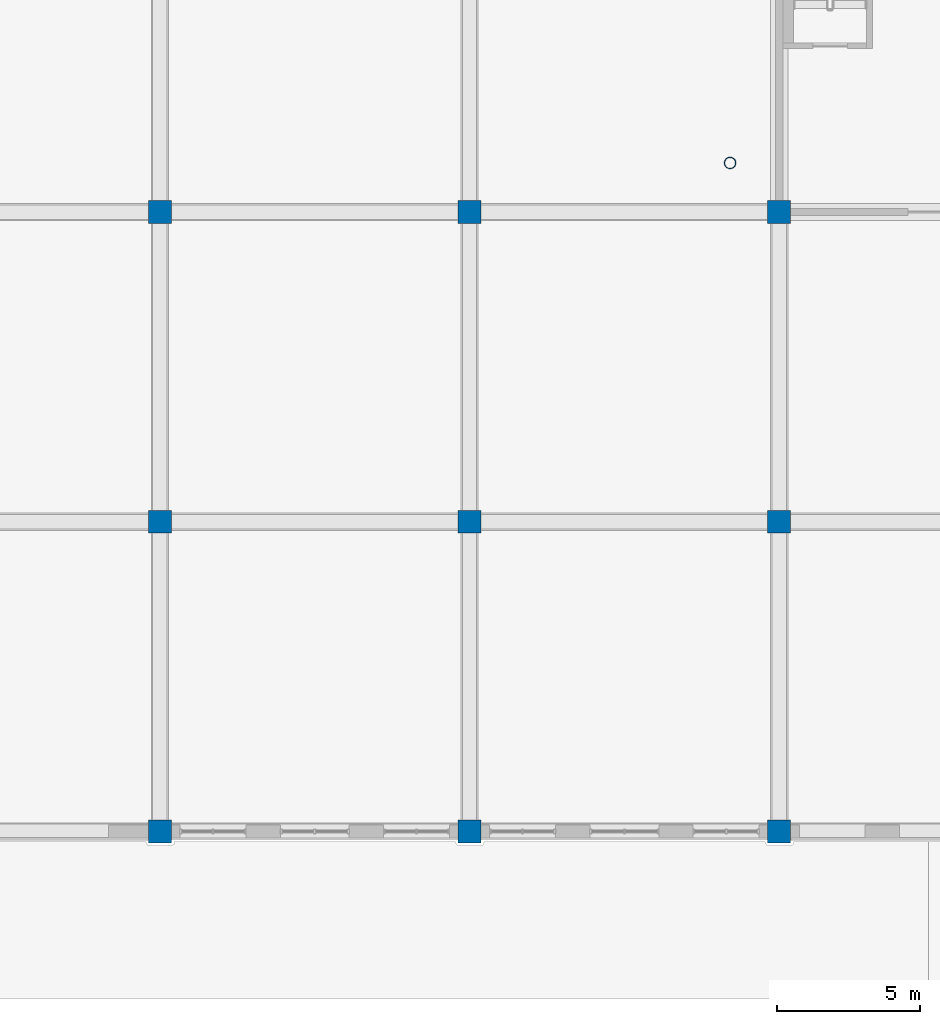
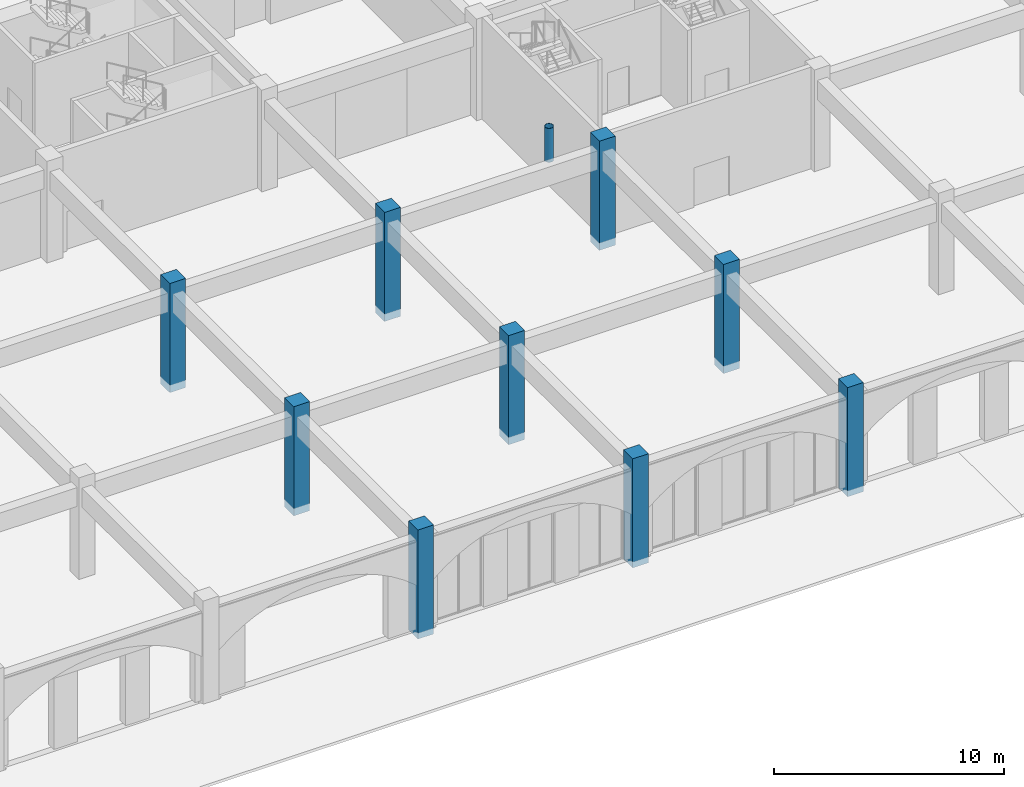
# One storey, part 4 of 101: 10 columns.
"""IFC4 building model written with IfcOpenShell, lengths in metres."""

from ifc_helpers import new_model, si_unit, direction, frame, origin, origin_2d, place, context, subcontext, project, spatial, rectangle, hollow_circle, extrude, material, material_profile, profile_set, type_object, element, save


model = new_model("IFC4")

# Units and contexts
model_context = context("Model", 3, precision=1e-05, world=origin(), true_north=direction((0.0, 1.0)))
body_context = subcontext(model_context, "Body", "Model", "MODEL_VIEW")
ifc_project = project(units=[si_unit("LENGTHUNIT", "METRE"), si_unit("AREAUNIT", "SQUARE_METRE"), si_unit("VOLUMEUNIT", "CUBIC_METRE"), si_unit("PLANEANGLEUNIT", "RADIAN"), si_unit("MASSUNIT", "GRAM", prefix="KILO")], contexts=[model_context])

# Site, building, storey
site_placement = place(None, origin())
site = spatial("IfcSite", under=ifc_project, at=site_placement, CompositionType="ELEMENT")
building_placement = place(site_placement, origin())
building = spatial("IfcBuilding", under=site, at=building_placement, Name="Magnolia Steps Interchange", CompositionType="ELEMENT")
storey_placement = place(building_placement, frame((0.0, 0.0, -5.39990234375)))
storey = spatial("IfcBuildingStorey", under=building, at=storey_placement, Name="B1", CompositionType="ELEMENT", Elevation=-5.39990234375)

# Columns
ifc_material_1 = material(Name="Concrete C40", Category="concrete")
ifc_material_profile_1 = material_profile(ifc_material_1, rectangle(XDim=0.800048828125, YDim=0.800048828125, at=origin_2d()), Name="RC800x800")
ifc_profile_set_1 = profile_set([ifc_material_profile_1], Name="Concrete C40")
column_type_1 = type_object("IfcColumnType", Name="RC column 800x800", PredefinedType="COLUMN", material=ifc_profile_set_1)
for number, where, z_axis, x_axis, name in (
    (1, (107.199951171875, 10.0, -0.400146484375), (0.0, 0.0, 1.0), (1.0, 0.0, 0.0), "Column COV-10A B1"),
    (2, (107.199951171875, 20.800048828125, -0.400146484375), (0.0, 0.0, 1.0), (1.0, 0.0, 0.0), "Column COV-10B B1"),
    (3, (107.199951171875, 31.60009765625, -0.400146484375), (0.0, 0.0, 1.0), (1.0, 0.0, 0.0), "Column COV-10C B1"),
    (4, (118.0, 10.0, -0.400146484375), (0.0, 0.0, 1.0), (1.0, 0.0, 0.0), "Column COV-11A B1"),
    (5, (118.0, 20.800048828125, -0.400146484375), (0.0, 0.0, 1.0), (1.0, 0.0, 0.0), "Column COV-11B B1"),
    (6, (118.0, 31.60009765625, -0.400146484375), (0.0, 0.0, 1.0), (1.0, 0.0, 0.0), "Column COV-11C B1"),
    (7, (128.800048828125, 10.0, -0.400146484375), (0.0, 0.0, 1.0), (1.0, 0.0, 0.0), "Column COV-12A B1"),
    (8, (128.800048828125, 20.800048828125, -0.400146484375), (0.0, 0.0, 1.0), (1.0, 0.0, 0.0), "Column COV-12B B1"),
    (9, (128.800048828125, 31.60009765625, -0.400146484375), (0.0, 0.0, 1.0), (1.0, 0.0, 0.0), "Column COV-12C B1"),
):
    element("IfcColumn", number, at=place(storey_placement, frame(where, z_axis=z_axis, x_axis=x_axis)), inside=storey, type_object=column_type_1, Name=name, PredefinedType="COLUMN", context=body_context, shape_type="SweptSolid", body=[
        extrude(rectangle(XDim=0.800048828125, YDim=0.800048828125, at=origin_2d()), origin(), (0.0, 0.0, 1.0), 5.800048828125),
    ])
ifc_material_2 = material(Name="Steel Q355B", Category="steel")
ifc_material_profile_2 = material_profile(ifc_material_2, hollow_circle(Radius=0.202880859375, WallThickness=0.01611328125, at=origin_2d()), Name="CHS406x16")
ifc_profile_set_2 = profile_set([ifc_material_profile_2], Name="Steel Q355B")
column_type_2 = type_object("IfcColumnType", Name="Truss tip prop CHS406x16", PredefinedType="COLUMN", material=ifc_profile_set_2)
column_placement = place(storey_placement, frame((127.086181640625, 33.313720703125, 3.599853515625), z_axis=(0.0, 0.0, 1.0), x_axis=(1.0, 0.0, 0.0)))
element("IfcColumn", 10, at=column_placement, inside=storey, type_object=column_type_2, Name="Tip prop SP-H-SE", PredefinedType="COLUMN", context=body_context, shape_type="SweptSolid", body=[
    extrude(hollow_circle(Radius=0.202880859375, WallThickness=0.01611328125, at=origin_2d()), origin(), (0.0, 0.0, 1.0), 1.800048828125),
])

save(model, "model.ifc")
